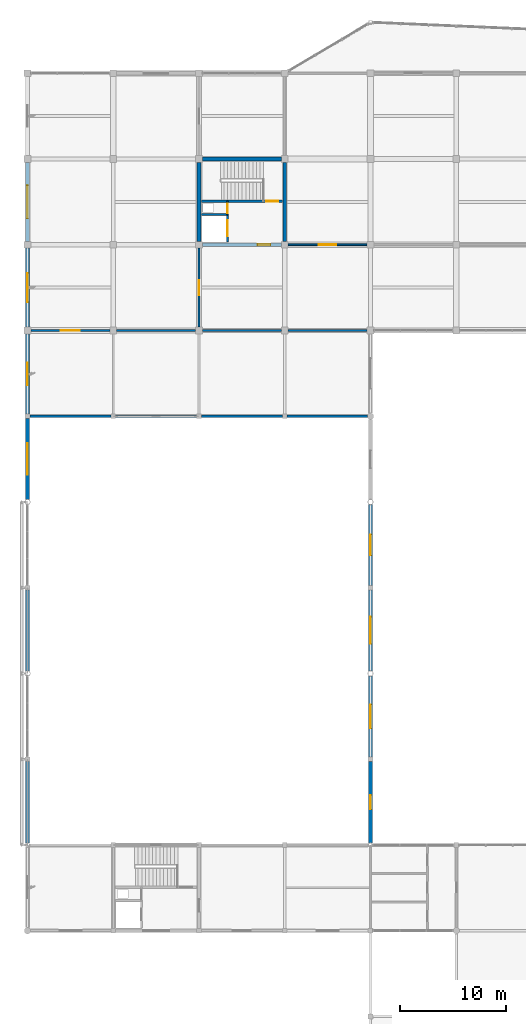
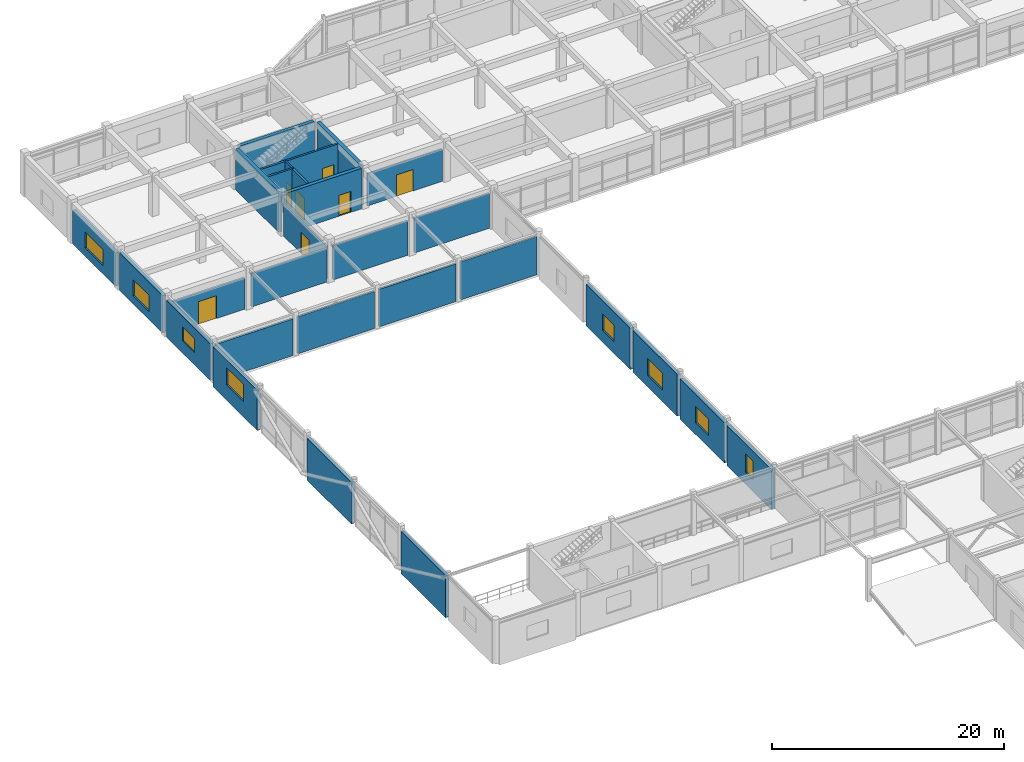
# One storey, part 66 of 93: 28 walls, 8 windows, 7 doors, 15 openings.
"""IFC4 building model written with IfcOpenShell, lengths in metres."""

from ifc_helpers import new_model, si_unit, direction, frame, frame_2d, origin, place, context, subcontext, project, spatial, rectangle, extrude, material, layer, layer_set, type_object, element, fill, save


model = new_model("IFC4")

# Units and contexts
model_context = context("Model", 3, precision=1e-05, world=origin(), true_north=direction((0.0, 1.0)))
body_context = subcontext(model_context, "Body", "Model", "MODEL_VIEW")
ifc_project = project(units=[si_unit("LENGTHUNIT", "METRE"), si_unit("AREAUNIT", "SQUARE_METRE"), si_unit("VOLUMEUNIT", "CUBIC_METRE"), si_unit("PLANEANGLEUNIT", "RADIAN"), si_unit("MASSUNIT", "GRAM", prefix="KILO")], contexts=[model_context])

# Site, building, storey
site_placement = place(None, origin())
site = spatial("IfcSite", under=ifc_project, at=site_placement, CompositionType="ELEMENT")
building_placement = place(site_placement, origin())
building = spatial("IfcBuilding", under=site, at=building_placement, Name="Vaudrelin Polytechnic", CompositionType="ELEMENT")
storey_placement = place(building_placement, frame((0.0, 0.0, 5.10009765625)))
storey = spatial("IfcBuildingStorey", under=building, at=storey_placement, Name="L01", CompositionType="ELEMENT", Elevation=5.10009765625)

# Walls
ifc_material_1 = material(Name="Insulated precast concrete sandwich panel 40 MPa", Category="concrete")
ifc_layer_1 = layer(ifc_material_1, 0.340087890625)
ifc_layer_set_1 = layer_set([ifc_layer_1], Name="Insulated precast concrete sandwich panel 40 MPa")
wall_type_1 = type_object("IfcWallType", Name="WAL-EW-IND340", PredefinedType="STANDARD", material=ifc_layer_set_1)
wall_1_placement = place(storey_placement, frame((0.0, 48.80126953125, -0.380126953125), z_axis=(0.0, 0.0, 1.0), x_axis=(0.0, 1.0, 0.0)))
element("IfcWall", 1, at=wall_1_placement, inside=storey, type_object=wall_type_1, Name="Exterior wall L01 W_V1_01", PredefinedType="STANDARD", context=body_context, shape_type="SweptSolid", body=[
    extrude(rectangle(XDim=7.67578125, YDim=0.340087890625, at=frame_2d((3.837890625, 0.0))), origin(), (0.0, 0.0, 1.0), 4.426025390625),
])
wall_2_placement = place(storey_placement, frame((0.0, 65.052001953125, -0.380126953125), z_axis=(0.0, 0.0, 1.0), x_axis=(0.0, 1.0, 0.0)))
element("IfcWall", 2, at=wall_2_placement, inside=storey, type_object=wall_type_1, Name="Exterior wall L01 W_V1_03", PredefinedType="STANDARD", context=body_context, shape_type="SweptSolid", body=[
    extrude(rectangle(XDim=7.625, YDim=0.340087890625, at=frame_2d((3.8125, 0.0))), origin(), (0.0, 0.0, 1.0), 4.386962890625),
])

# Wall, opening, window
wall_3_placement = place(storey_placement, frame((0.0, 81.251953125, -0.380126953125), z_axis=(0.0, 0.0, 1.0), x_axis=(0.0, 1.0, 0.0)))
wall_3 = element("IfcWall", 3, at=wall_3_placement, inside=storey, type_object=wall_type_1, Name="Exterior wall L01 W_V1_05", PredefinedType="STANDARD", context=body_context, shape_type="SweptSolid", body=[
    extrude(rectangle(XDim=7.625, YDim=0.340087890625, at=frame_2d((3.8125, 0.0))), origin(), (0.0, 0.0, 1.0), 4.22900390625),
])
opening_1_placement = place(wall_3_placement, frame((2.33740234375, 0.0, 1.6298828125)))
opening_1 = element("IfcOpeningElement", 4, at=opening_1_placement, cuts=wall_3, Name="Opening W-L01-W-V1-06", PredefinedType="OPENING", context=body_context, shape_type="SweptSolid", body=[
    extrude(rectangle(XDim=2.949951171875, YDim=1.800048828125, at=frame_2d((1.47509765625, 0.89990234375))), frame((0.0, 0.18017578125, 0.0), z_axis=(0.0, -1.0, 0.0), x_axis=(1.0, 0.0, 0.0)), (0.0, 0.0, 1.0), 0.360107421875),
])
ifc_material_2 = material(Name="Thermally broken aluminium frame with triple low-e glazing", Category="aluminium")
window_type_1 = type_object("IfcWindowType", Name="WIN-WN-35", PartitioningType="SINGLE_PANEL", PredefinedType="WINDOW", material=ifc_material_2)
window_1_placement = place(opening_1_placement, origin())
window_1 = element("IfcWindow", 5, at=window_1_placement, inside=storey, type_object=window_type_1, Name="Facade window L01-W_V1_05", OverallHeight=1.800048828125, OverallWidth=2.949951171875, PartitioningType="SINGLE_PANEL", PredefinedType="WINDOW", context=body_context, shape_type="SweptSolid", body=[
    extrude(rectangle(XDim=2.949951171875, YDim=1.800048828125, at=frame_2d((1.47509765625, 0.89990234375))), frame((0.0, 0.030029296875, 0.0), z_axis=(0.0, -1.0, 0.0), x_axis=(1.0, 0.0, 0.0)), (0.0, 0.0, 1.0), 0.06005859375),
])
fill(opening_1, window_1)

wall_4_placement = place(storey_placement, frame((0.0, 89.322998046875, 0.0), z_axis=(0.0, 0.0, 1.0), x_axis=(0.0, 1.0, 0.0)))
wall_4 = element("IfcWall", 6, at=wall_4_placement, inside=storey, type_object=wall_type_1, Name="Exterior wall L01 W_V1_06", PredefinedType="STANDARD", context=body_context, shape_type="SweptSolid", body=[
    extrude(rectangle(XDim=7.553955078125, YDim=0.340087890625, at=frame_2d((3.77685546875, 0.0))), origin(), (0.0, 0.0, 1.0), 3.851806640625),
])
opening_2_placement = place(wall_4_placement, frame((2.72705078125, 0.0, 1.25)))
opening_2 = element("IfcOpeningElement", 7, at=opening_2_placement, cuts=wall_4, Name="Opening W-L01-W-V1-07", PredefinedType="OPENING", context=body_context, shape_type="SweptSolid", body=[
    extrude(rectangle(XDim=2.10009765625, YDim=1.5, at=frame_2d((1.050048828125, 0.75))), frame((0.0, 0.18017578125, 0.0), z_axis=(0.0, -1.0, 0.0), x_axis=(1.0, 0.0, 0.0)), (0.0, 0.0, 1.0), 0.360107421875),
])
window_type_2 = type_object("IfcWindowType", Name="WIN-WN-05", PartitioningType="SINGLE_PANEL", PredefinedType="WINDOW", material=ifc_material_2)
window_2_placement = place(opening_2_placement, origin())
window_2 = element("IfcWindow", 8, at=window_2_placement, inside=storey, type_object=window_type_2, Name="Facade window L01-W_V1_06", OverallHeight=1.5, OverallWidth=2.10009765625, PartitioningType="SINGLE_PANEL", PredefinedType="WINDOW", context=body_context, shape_type="SweptSolid", body=[
    extrude(rectangle(XDim=2.10009765625, YDim=1.5, at=frame_2d((1.050048828125, 0.75))), frame((0.0, 0.030029296875, 0.0), z_axis=(0.0, -1.0, 0.0), x_axis=(1.0, 0.0, 0.0)), (0.0, 0.0, 1.0), 0.06005859375),
])
fill(opening_2, window_2)

ifc_material_3 = material(Name="Precast concrete 35 MPa with standing-seam zinc rainscreen", Category="concrete")
ifc_layer_2 = layer(ifc_material_3, 0.360107421875)
ifc_layer_set_2 = layer_set([ifc_layer_2], Name="Precast concrete 35 MPa with standing-seam zinc rainscreen")
wall_type_2 = type_object("IfcWallType", Name="WAL-EW-ZINC360", PredefinedType="STANDARD", material=ifc_layer_set_2)
wall_5_placement = place(storey_placement, frame((0.0, 97.52294921875, 0.0), z_axis=(0.0, 0.0, 1.0), x_axis=(0.0, 1.0, 0.0)))
wall_5 = element("IfcWall", 9, at=wall_5_placement, inside=storey, type_object=wall_type_2, Name="Exterior wall L01 W_V5_00", PredefinedType="STANDARD", context=body_context, shape_type="SweptSolid", body=[
    extrude(rectangle(XDim=7.4541015625, YDim=0.360107421875, at=frame_2d((3.72705078125, 0.0))), origin(), (0.0, 0.0, 1.0), 3.947021484375),
])
opening_3_placement = place(wall_5_placement, frame((2.35205078125, 0.0, 0.85009765625)))
opening_3 = element("IfcOpeningElement", 10, at=opening_3_placement, cuts=wall_5, Name="Opening W-L01-W-V5-01", PredefinedType="OPENING", context=body_context, shape_type="SweptSolid", body=[
    extrude(rectangle(XDim=2.75, YDim=1.699951171875, at=frame_2d((1.375, 0.85009765625))), frame((0.0, 0.18994140625, 0.0), z_axis=(0.0, -1.0, 0.0), x_axis=(1.0, 0.0, 0.0)), (0.0, 0.0, 1.0), 0.380126953125),
])
window_type_3 = type_object("IfcWindowType", Name="WIN-WN-41", PartitioningType="SINGLE_PANEL", PredefinedType="WINDOW", material=ifc_material_2)
window_3_placement = place(opening_3_placement, origin())
window_3 = element("IfcWindow", 11, at=window_3_placement, inside=storey, type_object=window_type_3, Name="Facade window L01-W_V5_00", OverallHeight=1.699951171875, OverallWidth=2.75, PartitioningType="SINGLE_PANEL", PredefinedType="WINDOW", context=body_context, shape_type="SweptSolid", body=[
    extrude(rectangle(XDim=2.75, YDim=1.699951171875, at=frame_2d((1.375, 0.85009765625))), frame((0.0, 0.030029296875, 0.0), z_axis=(0.0, -1.0, 0.0), x_axis=(1.0, 0.0, 0.0)), (0.0, 0.0, 1.0), 0.06005859375),
])
fill(opening_3, window_3)

wall_6_placement = place(storey_placement, frame((0.0, 105.623046875, 0.0), z_axis=(0.0, 0.0, 1.0), x_axis=(0.0, 1.0, 0.0)))
wall_6 = element("IfcWall", 12, at=wall_6_placement, inside=storey, type_object=wall_type_2, Name="Exterior wall L01 W_V5_01", PredefinedType="STANDARD", context=body_context, shape_type="SweptSolid", body=[
    extrude(rectangle(XDim=7.453857421875, YDim=0.360107421875, at=frame_2d((3.72705078125, 0.0))), origin(), (0.0, 0.0, 1.0), 3.501953125),
])
opening_4_placement = place(wall_6_placement, frame((2.177001953125, 0.0, 0.85009765625)))
opening_4 = element("IfcOpeningElement", 13, at=opening_4_placement, cuts=wall_6, Name="Opening W-L01-W-V5-02", PredefinedType="OPENING", context=body_context, shape_type="SweptSolid", body=[
    extrude(rectangle(XDim=3.10009765625, YDim=1.699951171875, at=frame_2d((1.550048828125, 0.85009765625))), frame((0.0, 0.18994140625, 0.0), z_axis=(0.0, -1.0, 0.0), x_axis=(1.0, 0.0, 0.0)), (0.0, 0.0, 1.0), 0.380126953125),
])
window_type_4 = type_object("IfcWindowType", Name="WIN-WN-42", PartitioningType="SINGLE_PANEL", PredefinedType="WINDOW", material=ifc_material_2)
window_4_placement = place(opening_4_placement, origin())
window_4 = element("IfcWindow", 14, at=window_4_placement, inside=storey, type_object=window_type_4, Name="Facade window L01-W_V5_01", OverallHeight=1.699951171875, OverallWidth=3.10009765625, PartitioningType="SINGLE_PANEL", PredefinedType="WINDOW", context=body_context, shape_type="SweptSolid", body=[
    extrude(rectangle(XDim=3.10009765625, YDim=1.699951171875, at=frame_2d((1.550048828125, 0.85009765625))), frame((0.0, 0.030029296875, 0.0), z_axis=(0.0, -1.0, 0.0), x_axis=(1.0, 0.0, 0.0)), (0.0, 0.0, 1.0), 0.06005859375),
])
fill(opening_4, window_4)

wall_7_placement = place(storey_placement, frame((32.39990234375, 48.80126953125, -0.380126953125), z_axis=(0.0, 0.0, 1.0), x_axis=(0.0, 1.0, 0.0)))
wall_7 = element("IfcWall", 15, at=wall_7_placement, inside=storey, type_object=wall_type_2, Name="Exterior wall L01 CT_W_00", PredefinedType="STANDARD", context=body_context, shape_type="SweptSolid", body=[
    extrude(rectangle(XDim=7.67578125, YDim=0.360107421875, at=frame_2d((3.837890625, 0.0))), origin(), (0.0, 0.0, 1.0), 4.22900390625),
])
opening_5_placement = place(wall_7_placement, frame((3.162841796875, 0.0, 1.22998046875)))
opening_5 = element("IfcOpeningElement", 16, at=opening_5_placement, cuts=wall_7, Name="Opening W-L01-CT-W-01", PredefinedType="OPENING", context=body_context, shape_type="SweptSolid", body=[
    extrude(rectangle(XDim=1.35009765625, YDim=1.949951171875, at=frame_2d((0.675048828125, 0.97509765625))), frame((0.0, 0.18994140625, 0.0), z_axis=(0.0, -1.0, 0.0), x_axis=(1.0, 0.0, 0.0)), (0.0, 0.0, 1.0), 0.380126953125),
])
window_type_5 = type_object("IfcWindowType", Name="WIN-WN-14", PartitioningType="SINGLE_PANEL", PredefinedType="WINDOW", material=ifc_material_2)
window_5_placement = place(opening_5_placement, origin())
window_5 = element("IfcWindow", 17, at=window_5_placement, inside=storey, type_object=window_type_5, Name="Facade window L01-CT_W_00", OverallHeight=1.949951171875, OverallWidth=1.35009765625, PartitioningType="SINGLE_PANEL", PredefinedType="WINDOW", context=body_context, shape_type="SweptSolid", body=[
    extrude(rectangle(XDim=1.35009765625, YDim=1.949951171875, at=frame_2d((0.675048828125, 0.97509765625))), frame((0.0, 0.030029296875, 0.0), z_axis=(0.0, -1.0, 0.0), x_axis=(1.0, 0.0, 0.0)), (0.0, 0.0, 1.0), 0.06005859375),
])
fill(opening_5, window_5)

wall_8_placement = place(storey_placement, frame((32.39990234375, 56.923095703125, -0.380126953125), z_axis=(0.0, 0.0, 1.0), x_axis=(0.0, 1.0, 0.0)))
wall_8 = element("IfcWall", 18, at=wall_8_placement, inside=storey, type_object=wall_type_2, Name="Exterior wall L01 CT_W_01", PredefinedType="STANDARD", context=body_context, shape_type="SweptSolid", body=[
    extrude(rectangle(XDim=7.625, YDim=0.360107421875, at=frame_2d((3.8125, 0.0))), origin(), (0.0, 0.0, 1.0), 4.23193359375),
])
opening_6_placement = place(wall_8_placement, frame((2.6875, 0.0, 1.22998046875)))
opening_6 = element("IfcOpeningElement", 19, at=opening_6_placement, cuts=wall_8, Name="Opening W-L01-CT-W-02", PredefinedType="OPENING", context=body_context, shape_type="SweptSolid", body=[
    extrude(rectangle(XDim=2.25, YDim=1.75, at=frame_2d((1.125, 0.875))), frame((0.0, 0.18994140625, 0.0), z_axis=(0.0, -1.0, 0.0), x_axis=(1.0, 0.0, 0.0)), (0.0, 0.0, 1.0), 0.380126953125),
])
window_type_6 = type_object("IfcWindowType", Name="WIN-WN-15", PartitioningType="SINGLE_PANEL", PredefinedType="WINDOW", material=ifc_material_2)
window_6_placement = place(opening_6_placement, origin())
window_6 = element("IfcWindow", 20, at=window_6_placement, inside=storey, type_object=window_type_6, Name="Facade window L01-CT_W_01", OverallHeight=1.75, OverallWidth=2.25, PartitioningType="SINGLE_PANEL", PredefinedType="WINDOW", context=body_context, shape_type="SweptSolid", body=[
    extrude(rectangle(XDim=2.25, YDim=1.75, at=frame_2d((1.125, 0.875))), frame((0.0, 0.030029296875, 0.0), z_axis=(0.0, -1.0, 0.0), x_axis=(1.0, 0.0, 0.0)), (0.0, 0.0, 1.0), 0.06005859375),
])
fill(opening_6, window_6)

wall_9_placement = place(storey_placement, frame((32.39990234375, 65.052001953125, -0.380126953125), z_axis=(0.0, 0.0, 1.0), x_axis=(0.0, 1.0, 0.0)))
wall_9 = element("IfcWall", 21, at=wall_9_placement, inside=storey, type_object=wall_type_2, Name="Exterior wall L01 CT_W_02", PredefinedType="STANDARD", context=body_context, shape_type="SweptSolid", body=[
    extrude(rectangle(XDim=7.625, YDim=0.360107421875, at=frame_2d((3.8125, 0.0))), origin(), (0.0, 0.0, 1.0), 4.386962890625),
])
opening_7_placement = place(wall_9_placement, frame((2.53759765625, 0.0, 1.22998046875)))
opening_7 = element("IfcOpeningElement", 22, at=opening_7_placement, cuts=wall_9, Name="Opening W-L01-CT-W-03", PredefinedType="OPENING", context=body_context, shape_type="SweptSolid", body=[
    extrude(rectangle(XDim=2.550048828125, YDim=1.75, at=frame_2d((1.27490234375, 0.875))), frame((0.0, 0.18994140625, 0.0), z_axis=(0.0, -1.0, 0.0), x_axis=(1.0, 0.0, 0.0)), (0.0, 0.0, 1.0), 0.380126953125),
])
window_type_7 = type_object("IfcWindowType", Name="WIN-WN-16", PartitioningType="SINGLE_PANEL", PredefinedType="WINDOW", material=ifc_material_2)
window_7_placement = place(opening_7_placement, origin())
window_7 = element("IfcWindow", 23, at=window_7_placement, inside=storey, type_object=window_type_7, Name="Facade window L01-CT_W_02", OverallHeight=1.75, OverallWidth=2.550048828125, PartitioningType="SINGLE_PANEL", PredefinedType="WINDOW", context=body_context, shape_type="SweptSolid", body=[
    extrude(rectangle(XDim=2.550048828125, YDim=1.75, at=frame_2d((1.27490234375, 0.875))), frame((0.0, 0.030029296875, 0.0), z_axis=(0.0, -1.0, 0.0), x_axis=(1.0, 0.0, 0.0)), (0.0, 0.0, 1.0), 0.06005859375),
])
fill(opening_7, window_7)

wall_10_placement = place(storey_placement, frame((32.39990234375, 73.123046875, -0.380126953125), z_axis=(0.0, 0.0, 1.0), x_axis=(0.0, 1.0, 0.0)))
wall_10 = element("IfcWall", 24, at=wall_10_placement, inside=storey, type_object=wall_type_2, Name="Exterior wall L01 CT_W_03", PredefinedType="STANDARD", context=body_context, shape_type="SweptSolid", body=[
    extrude(rectangle(XDim=7.625, YDim=0.360107421875, at=frame_2d((3.8125, 0.0))), origin(), (0.0, 0.0, 1.0), 4.333984375),
])
opening_8_placement = place(wall_10_placement, frame((2.83740234375, 0.0, 1.22998046875)))
opening_8 = element("IfcOpeningElement", 25, at=opening_8_placement, cuts=wall_10, Name="Opening W-L01-CT-W-04", PredefinedType="OPENING", context=body_context, shape_type="SweptSolid", body=[
    extrude(rectangle(XDim=1.949951171875, YDim=1.75, at=frame_2d((0.97509765625, 0.875))), frame((0.0, 0.18994140625, 0.0), z_axis=(0.0, -1.0, 0.0), x_axis=(1.0, 0.0, 0.0)), (0.0, 0.0, 1.0), 0.380126953125),
])
window_type_8 = type_object("IfcWindowType", Name="WIN-WN-17", PartitioningType="SINGLE_PANEL", PredefinedType="WINDOW", material=ifc_material_2)
window_8_placement = place(opening_8_placement, origin())
window_8 = element("IfcWindow", 26, at=window_8_placement, inside=storey, type_object=window_type_8, Name="Facade window L01-CT_W_03", OverallHeight=1.75, OverallWidth=1.949951171875, PartitioningType="SINGLE_PANEL", PredefinedType="WINDOW", context=body_context, shape_type="SweptSolid", body=[
    extrude(rectangle(XDim=1.949951171875, YDim=1.75, at=frame_2d((0.97509765625, 0.875))), frame((0.0, 0.030029296875, 0.0), z_axis=(0.0, -1.0, 0.0), x_axis=(1.0, 0.0, 0.0)), (0.0, 0.0, 1.0), 0.06005859375),
])
fill(opening_8, window_8)

# Wall, opening, door
ifc_material_4 = material(Name="Concrete masonry unit 20 MPa shaft & corridor fire wall", Category="masonry")
ifc_layer_3 = layer(ifc_material_4, 0.199951171875)
ifc_layer_set_3 = layer_set([ifc_layer_3], Name="Concrete masonry unit 20 MPa shaft & corridor fire wall")
wall_type_3 = type_object("IfcWallType", Name="WAL-PW-FIRE120", PredefinedType="PARTITIONING", material=ifc_layer_set_3)
wall_11_placement = place(storey_placement, frame((0.322998046875, 97.199951171875, 0.0), z_axis=(0.0, 0.0, 1.0), x_axis=(1.0, 0.0, 0.0)))
wall_11 = element("IfcWall", 27, at=wall_11_placement, inside=storey, type_object=wall_type_3, Name="Partition L01-001 N", PredefinedType="PARTITIONING", context=body_context, shape_type="SweptSolid", body=[
    extrude(rectangle(XDim=7.4541015625, YDim=0.199951171875, at=frame_2d((3.72705078125, 0.0))), origin(), (0.0, 0.0, 1.0), 3.302001953125),
])
opening_9_placement = place(wall_11_placement, frame((2.826904296875, 0.0, 0.0)))
opening_9 = element("IfcOpeningElement", 28, at=opening_9_placement, cuts=wall_11, Name="Opening D-L01-446", PredefinedType="OPENING", context=body_context, shape_type="SweptSolid", body=[
    extrude(rectangle(XDim=1.800048828125, YDim=2.39990234375, at=frame_2d((0.89990234375, 1.199951171875))), frame((0.0, 0.10986328125, 0.0), z_axis=(0.0, -1.0, 0.0), x_axis=(1.0, 0.0, 0.0)), (0.0, 0.0, 1.0), 0.219970703125),
])
ifc_material_5 = material(Name="Pressed galvanised steel acoustic leaf", Category="steel")
door_type_1 = type_object("IfcDoorType", Name="DOR-ID-WK1", OperationType="NOTDEFINED", PredefinedType="DOOR", material=ifc_material_5)
door_1_placement = place(opening_9_placement, origin())
door_1 = element("IfcDoor", 29, at=door_1_placement, inside=storey, type_object=door_type_1, Name="Materials Testing Mezzanine Gallery door L01-001", OperationType="DOUBLE_SWING_LEFT", OverallHeight=2.39990234375, OverallWidth=1.800048828125, PredefinedType="DOOR", context=body_context, shape_type="SweptSolid", body=[
    extrude(rectangle(XDim=1.800048828125, YDim=2.39990234375, at=frame_2d((0.89990234375, 1.199951171875))), frame((0.0, 0.02490234375, 0.0), z_axis=(0.0, -1.0, 0.0), x_axis=(1.0, 0.0, 0.0)), (0.0, 0.0, 1.0), 0.050048828125),
])
fill(opening_9, door_1)

# Walls
wall_12_placement = place(storey_placement, frame((8.423095703125, 97.199951171875, 0.0), z_axis=(0.0, 0.0, 1.0), x_axis=(1.0, 0.0, 0.0)))
element("IfcWall", 30, at=wall_12_placement, inside=storey, type_object=wall_type_3, Name="Partition L01-001 N", PredefinedType="PARTITIONING", context=body_context, shape_type="SweptSolid", body=[
    extrude(rectangle(XDim=7.453857421875, YDim=0.199951171875, at=frame_2d((3.72705078125, 0.0))), origin(), (0.0, 0.0, 1.0), 3.501953125),
])
wall_13_placement = place(storey_placement, frame((16.52294921875, 97.199951171875, 0.0), z_axis=(0.0, 0.0, 1.0), x_axis=(1.0, 0.0, 0.0)))
element("IfcWall", 31, at=wall_13_placement, inside=storey, type_object=wall_type_3, Name="Partition L01-001 N", PredefinedType="PARTITIONING", context=body_context, shape_type="SweptSolid", body=[
    extrude(rectangle(XDim=7.4541015625, YDim=0.199951171875, at=frame_2d((3.72705078125, 0.0))), origin(), (0.0, 0.0, 1.0), 3.601806640625),
])
wall_14_placement = place(storey_placement, frame((24.623046875, 97.199951171875, 0.0), z_axis=(0.0, 0.0, 1.0), x_axis=(1.0, 0.0, 0.0)))
element("IfcWall", 32, at=wall_14_placement, inside=storey, type_object=wall_type_3, Name="Partition L01-001 N", PredefinedType="PARTITIONING", context=body_context, shape_type="SweptSolid", body=[
    extrude(rectangle(XDim=7.453857421875, YDim=0.199951171875, at=frame_2d((3.72705078125, 0.0))), origin(), (0.0, 0.0, 1.0), 3.65185546875),
])
wall_15_placement = place(storey_placement, frame((0.222900390625, 89.10009765625, 0.0), z_axis=(0.0, 0.0, 1.0), x_axis=(1.0, 0.0, 0.0)))
element("IfcWall", 33, at=wall_15_placement, inside=storey, type_object=wall_type_3, Name="Partition L01-001 S", PredefinedType="PARTITIONING", context=body_context, shape_type="SweptSolid", body=[
    extrude(rectangle(XDim=7.654052734375, YDim=0.199951171875, at=frame_2d((3.8271484375, 0.0))), origin(), (0.0, 0.0, 1.0), 3.851806640625),
])
wall_16_placement = place(storey_placement, frame((8.322998046875, 89.10009765625, 0.0), z_axis=(0.0, 0.0, 1.0), x_axis=(1.0, 0.0, 0.0)))
element("IfcWall", 34, at=wall_16_placement, inside=storey, type_object=wall_type_3, Name="Partition L01-001 S", PredefinedType="PARTITIONING", context=body_context, shape_type="SweptSolid", body=[
    extrude(rectangle(XDim=7.654052734375, YDim=0.199951171875, at=frame_2d((3.8271484375, 0.0))), origin(), (0.0, 0.0, 1.0), 3.89697265625),
])
wall_17_placement = place(storey_placement, frame((16.423095703125, 89.10009765625, 0.0), z_axis=(0.0, 0.0, 1.0), x_axis=(1.0, 0.0, 0.0)))
element("IfcWall", 35, at=wall_17_placement, inside=storey, type_object=wall_type_3, Name="Partition L01-001 S", PredefinedType="PARTITIONING", context=body_context, shape_type="SweptSolid", body=[
    extrude(rectangle(XDim=7.65380859375, YDim=0.199951171875, at=frame_2d((3.826904296875, 0.0))), origin(), (0.0, 0.0, 1.0), 3.953857421875),
])
wall_18_placement = place(storey_placement, frame((24.52294921875, 89.10009765625, 0.0), z_axis=(0.0, 0.0, 1.0), x_axis=(1.0, 0.0, 0.0)))
element("IfcWall", 36, at=wall_18_placement, inside=storey, type_object=wall_type_3, Name="Partition L01-001 S", PredefinedType="PARTITIONING", context=body_context, shape_type="SweptSolid", body=[
    extrude(rectangle(XDim=7.5791015625, YDim=0.199951171875, at=frame_2d((3.78955078125, 0.0))), origin(), (0.0, 0.0, 1.0), 4.005859375),
])

# Wall, opening, door
ifc_material_6 = material(Name="Fire-rated steel-stud gypsum compartment wall", Category="steel")
ifc_layer_4 = layer(ifc_material_6, 0.14990234375)
ifc_layer_set_4 = layer_set([ifc_layer_4], Name="Fire-rated steel-stud gypsum compartment wall")
wall_type_4 = type_object("IfcWallType", Name="WAL-PW-FIRE60", PredefinedType="PARTITIONING", material=ifc_layer_set_4)
wall_19_placement = place(storey_placement, frame((18.8798828125, 108.14990234375, 0.0), z_axis=(0.0, 0.0, 1.0), x_axis=(0.0, 1.0, 0.0)))
wall_19 = element("IfcWall", 37, at=wall_19_placement, inside=storey, type_object=wall_type_4, Name="Core C1 riser enclosure wall L01", PredefinedType="PARTITIONING", context=body_context, shape_type="SweptSolid", body=[
    extrude(rectangle(XDim=1.260009765625, YDim=0.14990234375, at=frame_2d((0.6298828125, 0.0))), origin(), (0.0, 0.0, 1.0), 4.251953125),
])
opening_10_placement = place(wall_19_placement, frame((0.139892578125, 0.0, 0.0)))
opening_10 = element("IfcOpeningElement", 38, at=opening_10_placement, cuts=wall_19, Name="Opening D-L01-010", PredefinedType="OPENING", context=body_context, shape_type="SweptSolid", body=[
    extrude(rectangle(XDim=0.89990234375, YDim=2.14990234375, at=frame_2d((0.449951171875, 1.074951171875))), frame((0.0, 0.0849609375, 0.0), z_axis=(0.0, -1.0, 0.0), x_axis=(1.0, 0.0, 0.0)), (0.0, 0.0, 1.0), 0.169921875),
])
door_type_2 = type_object("IfcDoorType", Name="DOR-ID-RSR1", OperationType="NOTDEFINED", PredefinedType="DOOR", material=ifc_material_5)
door_2_placement = place(opening_10_placement, origin())
door_2 = element("IfcDoor", 39, at=door_2_placement, inside=storey, type_object=door_type_2, Name="Core C1 riser access door L01", OperationType="SINGLE_SWING_RIGHT", OverallHeight=2.14990234375, OverallWidth=0.89990234375, PredefinedType="DOOR", context=body_context, shape_type="SweptSolid", body=[
    extrude(rectangle(XDim=0.89990234375, YDim=2.14990234375, at=frame_2d((0.449951171875, 1.074951171875))), frame((0.0, 0.02490234375, 0.0), z_axis=(0.0, -1.0, 0.0), x_axis=(1.0, 0.0, 0.0)), (0.0, 0.0, 1.0), 0.050048828125),
])
fill(opening_10, door_2)

ifc_material_7 = material(Name="Pin-up plywood & acoustic gypsum studio partition", Category="wood")
ifc_layer_5 = layer(ifc_material_7, 0.14990234375)
ifc_layer_set_5 = layer_set([ifc_layer_5], Name="Pin-up plywood & acoustic gypsum studio partition")
wall_type_5 = type_object("IfcWallType", Name="WAL-PW-STU150", PredefinedType="PARTITIONING", material=ifc_layer_set_5)
wall_20_placement = place(storey_placement, frame((16.199951171875, 97.52294921875, 0.0), z_axis=(0.0, 0.0, 1.0), x_axis=(0.0, 1.0, 0.0)))
wall_20 = element("IfcWall", 40, at=wall_20_placement, inside=storey, type_object=wall_type_5, Name="Partition L01-015 E", PredefinedType="PARTITIONING", context=body_context, shape_type="SweptSolid", body=[
    extrude(rectangle(XDim=7.4541015625, YDim=0.14990234375, at=frame_2d((3.72705078125, 0.0))), origin(), (0.0, 0.0, 1.0), 3.40185546875),
])
opening_11_placement = place(wall_20_placement, frame((3.027099609375, 0.0, 0.0)))
opening_11 = element("IfcOpeningElement", 41, at=opening_11_placement, cuts=wall_20, Name="Opening D-L01-452", PredefinedType="OPENING", context=body_context, shape_type="SweptSolid", body=[
    extrude(rectangle(XDim=1.39990234375, YDim=2.199951171875, at=frame_2d((0.699951171875, 1.10009765625))), frame((0.0, 0.0849609375, 0.0), z_axis=(0.0, -1.0, 0.0), x_axis=(1.0, 0.0, 0.0)), (0.0, 0.0, 1.0), 0.169921875),
])
ifc_material_8 = material(Name="Solid-core birch veneer acoustic leaf", Category="wood")
door_type_3 = type_object("IfcDoorType", Name="DOR-ID-STU1", OperationType="NOTDEFINED", PredefinedType="DOOR", material=ifc_material_8)
door_3_placement = place(opening_11_placement, origin())
door_3 = element("IfcDoor", 42, at=door_3_placement, inside=storey, type_object=door_type_3, Name="Foundation Engineering Design Studio door L01-015", OperationType="DOUBLE_SWING_LEFT", OverallHeight=2.199951171875, OverallWidth=1.39990234375, PredefinedType="DOOR", context=body_context, shape_type="SweptSolid", body=[
    extrude(rectangle(XDim=1.39990234375, YDim=2.199951171875, at=frame_2d((0.699951171875, 1.10009765625))), frame((0.0, 0.02490234375, 0.0), z_axis=(0.0, -1.0, 0.0), x_axis=(1.0, 0.0, 0.0)), (0.0, 0.0, 1.0), 0.050048828125),
])
fill(opening_11, door_3)

wall_21_placement = place(storey_placement, frame((24.623046875, 105.300048828125, 0.0), z_axis=(0.0, 0.0, 1.0), x_axis=(1.0, 0.0, 0.0)))
wall_21 = element("IfcWall", 43, at=wall_21_placement, inside=storey, type_object=wall_type_5, Name="Partition L01-016 S", PredefinedType="PARTITIONING", context=body_context, shape_type="SweptSolid", body=[
    extrude(rectangle(XDim=7.453857421875, YDim=0.14990234375, at=frame_2d((3.72705078125, 0.0))), origin(), (0.0, 0.0, 1.0), 3.40185546875),
])
opening_12_placement = place(wall_21_placement, frame((2.906982421875, 0.0, 0.0)))
opening_12 = element("IfcOpeningElement", 44, at=opening_12_placement, cuts=wall_21, Name="Opening D-L01-453", PredefinedType="OPENING", context=body_context, shape_type="SweptSolid", body=[
    extrude(rectangle(XDim=1.639892578125, YDim=2.25, at=frame_2d((0.81982421875, 1.125))), frame((0.0, 0.0849609375, 0.0), z_axis=(0.0, -1.0, 0.0), x_axis=(1.0, 0.0, 0.0)), (0.0, 0.0, 1.0), 0.169921875),
])
door_type_4 = type_object("IfcDoorType", Name="DOR-ID-STU2", OperationType="NOTDEFINED", PredefinedType="DOOR", material=ifc_material_8)
door_4_placement = place(opening_12_placement, origin())
door_4 = element("IfcDoor", 45, at=door_4_placement, inside=storey, type_object=door_type_4, Name="CAD and Parametric Modelling Studio door L01-016", OperationType="DOUBLE_SWING_LEFT", OverallHeight=2.25, OverallWidth=1.639892578125, PredefinedType="DOOR", context=body_context, shape_type="SweptSolid", body=[
    extrude(rectangle(XDim=1.639892578125, YDim=2.25, at=frame_2d((0.81982421875, 1.125))), frame((0.0, 0.02490234375, 0.0), z_axis=(0.0, -1.0, 0.0), x_axis=(1.0, 0.0, 0.0)), (0.0, 0.0, 1.0), 0.050048828125),
])
fill(opening_12, door_4)

ifc_material_9 = material(Name="Concrete 40 MPa", Category="concrete")
ifc_layer_6 = layer(ifc_material_9, 0.199951171875)
ifc_layer_set_6 = layer_set([ifc_layer_6], Name="Concrete 40 MPa")
wall_type_6 = type_object("IfcWallType", Name="WAL-SW-CORE200", PredefinedType="SHEAR", material=ifc_layer_set_6)
wall_22_placement = place(storey_placement, frame((16.419921875, 109.409912109375, 0.0), z_axis=(0.0, 0.0, 1.0), x_axis=(1.0, 0.0, 0.0)))
wall_22 = element("IfcWall", 46, at=wall_22_placement, inside=storey, type_object=wall_type_6, Name="Core C1 stair enclosure wall L01", PredefinedType="SHEAR", context=body_context, shape_type="SweptSolid", body=[
    extrude(rectangle(XDim=7.66015625, YDim=0.199951171875, at=frame_2d((3.830078125, 0.0))), origin(), (0.0, 0.0, 1.0), 4.251953125),
])
opening_13_placement = place(wall_22_placement, frame((6.110107421875, 0.0, 0.0)))
opening_13 = element("IfcOpeningElement", 47, at=opening_13_placement, cuts=wall_22, Name="Opening D-L01-009", PredefinedType="OPENING", context=body_context, shape_type="SweptSolid", body=[
    extrude(rectangle(XDim=1.14990234375, YDim=2.199951171875, at=frame_2d((0.574951171875, 1.10009765625))), frame((0.0, 0.10986328125, 0.0), z_axis=(0.0, -1.0, 0.0), x_axis=(1.0, 0.0, 0.0)), (0.0, 0.0, 1.0), 0.219970703125),
])
door_type_5 = type_object("IfcDoorType", Name="DOR-ID-ST1", OperationType="NOTDEFINED", PredefinedType="DOOR", material=ifc_material_5)
door_5_placement = place(opening_13_placement, origin())
door_5 = element("IfcDoor", 48, at=door_5_placement, inside=storey, type_object=door_type_5, Name="Core C1 exit stair door L01", OperationType="SINGLE_SWING_LEFT", OverallHeight=2.199951171875, OverallWidth=1.14990234375, PredefinedType="DOOR", context=body_context, shape_type="SweptSolid", body=[
    extrude(rectangle(XDim=1.14990234375, YDim=2.199951171875, at=frame_2d((0.574951171875, 1.10009765625))), frame((0.0, 0.02490234375, 0.0), z_axis=(0.0, -1.0, 0.0), x_axis=(1.0, 0.0, 0.0)), (0.0, 0.0, 1.0), 0.050048828125),
])
fill(opening_13, door_5)

wall_23_placement = place(storey_placement, frame((18.8798828125, 105.550048828125, 0.0), z_axis=(0.0, 0.0, 1.0), x_axis=(0.0, 1.0, 0.0)))
wall_23 = element("IfcWall", 49, at=wall_23_placement, inside=storey, type_object=wall_type_6, Name="Lift LF-01 shaft front wall L01", PredefinedType="SHEAR", context=body_context, shape_type="SweptSolid", body=[
    extrude(rectangle(XDim=2.599853515625, YDim=0.199951171875, at=frame_2d((1.2998046875, 0.0))), origin(), (0.0, 0.0, 1.0), 4.251953125),
])
opening_14_placement = place(wall_23_placement, frame((0.550048828125, 0.0, 0.0)))
opening_14 = element("IfcOpeningElement", 50, at=opening_14_placement, cuts=wall_23, Name="Opening LD-LF-01-L01", PredefinedType="OPENING", context=body_context, shape_type="SweptSolid", body=[
    extrude(rectangle(XDim=1.5, YDim=2.300048828125, at=frame_2d((0.75, 1.14990234375))), frame((0.0, 0.10986328125, 0.0), z_axis=(0.0, -1.0, 0.0), x_axis=(1.0, 0.0, 0.0)), (0.0, 0.0, 1.0), 0.219970703125),
])
ifc_material_10 = material(Name="Brushed stainless steel AISI 304", Category="steel")
door_type_6 = type_object("IfcDoorType", Name="DOR-LD-FRT", OperationType="SLIDING_TO_LEFT", PredefinedType="DOOR", material=ifc_material_10)
door_6_placement = place(opening_14_placement, origin())
door_6 = element("IfcDoor", 51, at=door_6_placement, inside=storey, type_object=door_type_6, Name="Lift LF-01 landing door L01", OperationType="SLIDING_TO_LEFT", OverallHeight=2.300048828125, OverallWidth=1.5, PredefinedType="DOOR", context=body_context, shape_type="SweptSolid", body=[
    extrude(rectangle(XDim=1.5, YDim=2.300048828125, at=frame_2d((0.75, 1.14990234375))), frame((0.0, 0.02490234375, 0.0), z_axis=(0.0, -1.0, 0.0), x_axis=(1.0, 0.0, 0.0)), (0.0, 0.0, 1.0), 0.050048828125),
])
fill(opening_14, door_6)

# Walls
wall_24_placement = place(storey_placement, frame((16.419921875, 108.14990234375, 0.0), z_axis=(0.0, 0.0, 1.0), x_axis=(1.0, 0.0, 0.0)))
element("IfcWall", 52, at=wall_24_placement, inside=storey, type_object=wall_type_6, Name="Lift LF-01 shaft north wall L01", PredefinedType="SHEAR", context=body_context, shape_type="SweptSolid", body=[
    extrude(rectangle(XDim=2.56005859375, YDim=0.199951171875, at=frame_2d((1.280029296875, 0.0))), origin(), (0.0, 0.0, 1.0), 4.251953125),
])
ifc_material_11 = material(Name="Concrete 50 MPa", Category="concrete")
ifc_layer_7 = layer(ifc_material_11, 0.35009765625)
ifc_layer_set_7 = layer_set([ifc_layer_7], Name="Concrete 50 MPa")
wall_type_7 = type_object("IfcWallType", Name="WAL-SW-CORE350", PredefinedType="SHEAR", material=ifc_layer_set_7)
wall_25_placement = place(storey_placement, frame((16.52294921875, 113.39990234375, 0.0), z_axis=(0.0, 0.0, 1.0), x_axis=(1.0, 0.0, 0.0)))
element("IfcWall", 53, at=wall_25_placement, inside=storey, type_object=wall_type_7, Name="Core C1 N shear wall L01", PredefinedType="SHEAR", context=body_context, shape_type="SweptSolid", body=[
    extrude(rectangle(XDim=7.4541015625, YDim=0.35009765625, at=frame_2d((3.72705078125, 0.0))), origin(), (0.0, 0.0, 1.0), 4.251953125),
])
for number, where, z_axis, x_axis, name in (
    (54, (16.199951171875, 105.623046875, 0.0), (0.0, 0.0, 1.0), (0.0, 1.0, 0.0), "Core C1 W shear wall L01"),
    (55, (24.300048828125, 105.623046875, 0.0), (0.0, 0.0, 1.0), (0.0, 1.0, 0.0), "Core C1 E shear wall L01"),
):
    element("IfcWall", number, at=place(storey_placement, frame(where, z_axis=z_axis, x_axis=x_axis)), inside=storey, type_object=wall_type_7, Name=name, PredefinedType="SHEAR", context=body_context, shape_type="SweptSolid", body=[
        extrude(rectangle(XDim=7.453857421875, YDim=0.35009765625, at=frame_2d((3.72705078125, 0.0))), origin(), (0.0, 0.0, 1.0), 4.251953125),
    ])

# Wall, opening, door
wall_26_placement = place(storey_placement, frame((16.52294921875, 105.300048828125, 0.0), z_axis=(0.0, 0.0, 1.0), x_axis=(1.0, 0.0, 0.0)))
wall_26 = element("IfcWall", 56, at=wall_26_placement, inside=storey, type_object=wall_type_7, Name="Core C1 S shear wall L01", PredefinedType="SHEAR", context=body_context, shape_type="SweptSolid", body=[
    extrude(rectangle(XDim=7.4541015625, YDim=0.35009765625, at=frame_2d((3.72705078125, 0.0))), origin(), (0.0, 0.0, 1.0), 4.251953125),
])
opening_15_placement = place(wall_26_placement, frame((5.2041015625, 0.0, 0.0)))
opening_15 = element("IfcOpeningElement", 57, at=opening_15_placement, cuts=wall_26, Name="Opening D-L01-008", PredefinedType="OPENING", context=body_context, shape_type="SweptSolid", body=[
    extrude(rectangle(XDim=1.199951171875, YDim=2.199951171875, at=frame_2d((0.60009765625, 1.10009765625))), frame((0.0, 0.18505859375, 0.0), z_axis=(0.0, -1.0, 0.0), x_axis=(1.0, 0.0, 0.0)), (0.0, 0.0, 1.0), 0.3701171875),
])
door_type_7 = type_object("IfcDoorType", Name="DOR-ID-LB1", OperationType="NOTDEFINED", PredefinedType="DOOR", material=ifc_material_5)
door_7_placement = place(opening_15_placement, origin())
door_7 = element("IfcDoor", 58, at=door_7_placement, inside=storey, type_object=door_type_7, Name="Core C1 lobby fire door L01", OperationType="SINGLE_SWING_LEFT", OverallHeight=2.199951171875, OverallWidth=1.199951171875, PredefinedType="DOOR", context=body_context, shape_type="SweptSolid", body=[
    extrude(rectangle(XDim=1.199951171875, YDim=2.199951171875, at=frame_2d((0.60009765625, 1.10009765625))), frame((0.0, 0.02490234375, 0.0), z_axis=(0.0, -1.0, 0.0), x_axis=(1.0, 0.0, 0.0)), (0.0, 0.0, 1.0), 0.050048828125),
])
fill(opening_15, door_7)

save(model, "model.ifc")
